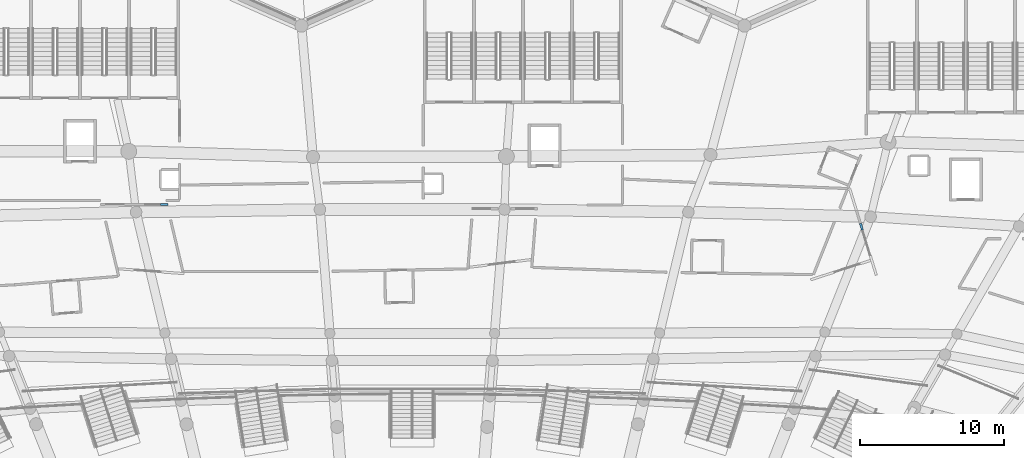
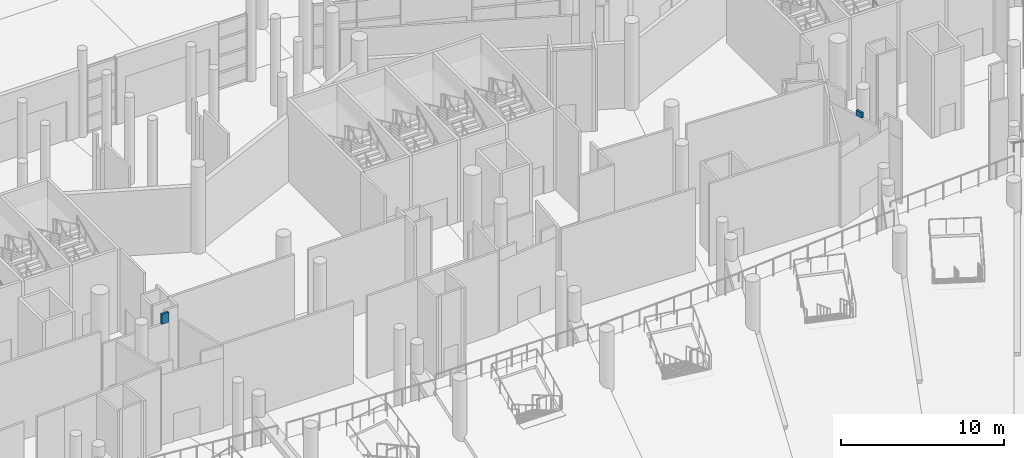
# One storey, part 158 of 255: 2 walls.
"""IFC4 building model written with IfcOpenShell, lengths in metres."""

from ifc_helpers import new_model, si_unit, direction, frame, frame_2d, origin, place, context, subcontext, project, spatial, rectangle, extrude, material, layer, layer_set, type_object, element, save


model = new_model("IFC4")

# Units and contexts
model_context = context("Model", 3, precision=1e-05, world=origin(), true_north=direction((0.0, 1.0)))
body_context = subcontext(model_context, "Body", "Model", "MODEL_VIEW")
ifc_project = project(units=[si_unit("LENGTHUNIT", "METRE"), si_unit("AREAUNIT", "SQUARE_METRE"), si_unit("VOLUMEUNIT", "CUBIC_METRE"), si_unit("PLANEANGLEUNIT", "RADIAN"), si_unit("MASSUNIT", "GRAM", prefix="KILO")], contexts=[model_context])

# Site, building, storey
site_placement = place(None, origin())
site = spatial("IfcSite", under=ifc_project, at=site_placement, CompositionType="ELEMENT")
building_placement = place(site_placement, origin())
building = spatial("IfcBuilding", under=site, at=building_placement, Name="Meseta Stadium", CompositionType="ELEMENT")
storey_placement = place(building_placement, origin())
storey = spatial("IfcBuildingStorey", under=building, at=storey_placement, Name="L00", CompositionType="ELEMENT", Elevation=0.0)

# Walls
ifc_material = material(Name="Masonry blockwork", Category="masonry")
ifc_layer = layer(ifc_material, 0.14990234375)
ifc_layer_set = layer_set([ifc_layer], Name="Partition 150")
wall_type = type_object("IfcWallType", Name="Partition 150", PredefinedType="PARTITIONING", material=ifc_layer_set)
wall_1_placement = place(storey_placement, frame((31.166015625, 84.4658203125, 4.85009765625), z_axis=(0.0, 0.0, 1.0), x_axis=(-0.293463105362, 0.95597040006, 0.0)))
element("IfcWall", 1, at=wall_1_placement, inside=storey, type_object=wall_type, Name="Escape corridor sector wall L00 core 09", PredefinedType="PARTITIONING", context=body_context, shape_type="SweptSolid", body=[
    extrude(rectangle(XDim=0.46826171875, YDim=0.14990234375, at=frame_2d((0.234130859375, 0.0))), origin(), (0.0, 0.0, 1.0), 0.39990234375),
])
wall_2_placement = place(storey_placement, frame((-16.922119140625, 86.22509765625, 5.39990234375), z_axis=(0.0, 0.0, 1.0), x_axis=(-1.0, 0.0, 0.0)))
element("IfcWall", 2, at=wall_2_placement, inside=storey, type_object=wall_type, Name="Escape corridor sector wall L00 core 11", PredefinedType="PARTITIONING", context=body_context, shape_type="SweptSolid", body=[
    extrude(rectangle(XDim=0.5, YDim=0.14990234375, at=frame_2d((0.25, 0.0))), origin(), (0.0, 0.0, 1.0), 0.75),
])

save(model, "model.ifc")
